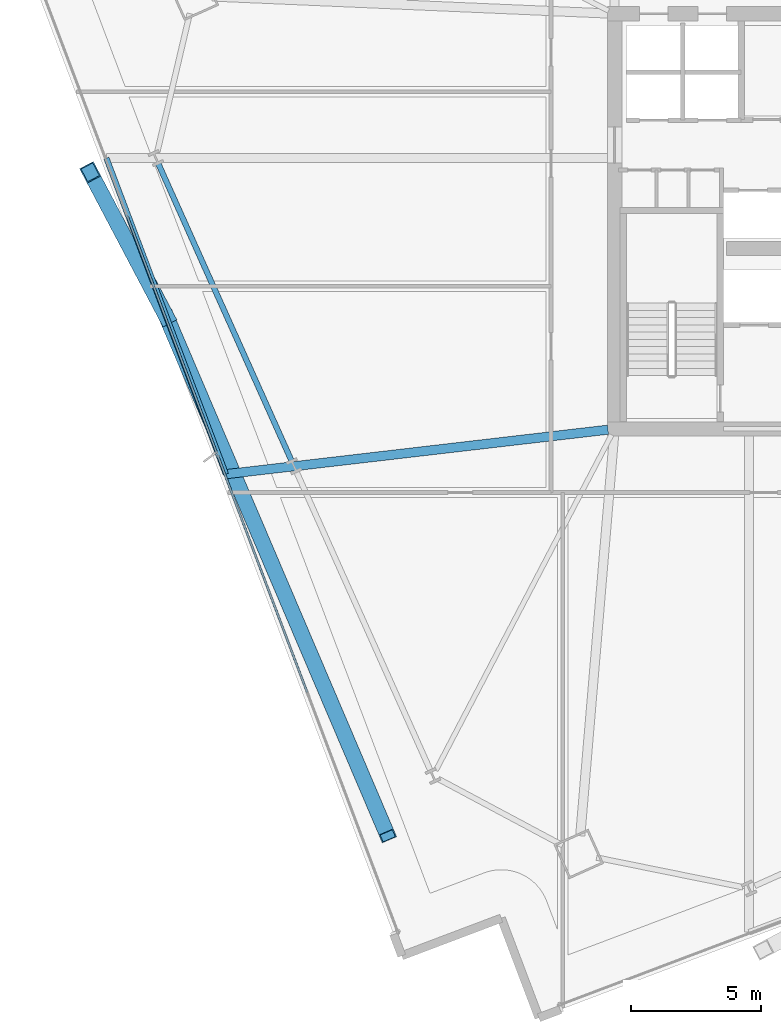
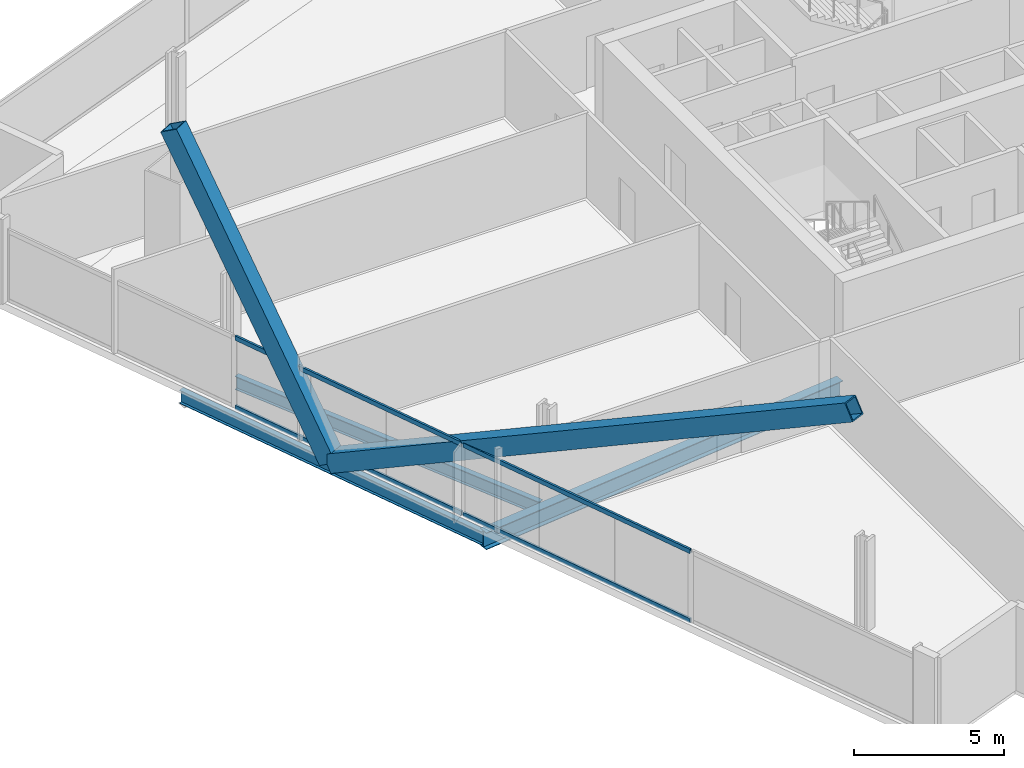
# One storey, part 6 of 37: 6 members, 3 beams, 1 element without a shape of its own.
"""IFC4 building model written with IfcOpenShell, lengths in metres."""

import ifcopenshell
import ifcopenshell.guid

model = None  # the IFC model being written
_history = None  # IfcOwnerHistory: only IFC2X3 demands one
_inside = {}  # id of a spatial element -> (the spatial element, [elements in it])
_under = {}  # id of a project, library or spatial element -> (it, [spatial elements below it])
_declared = {}  # id of a project -> (the project, [libraries it declares])
_typed = {}  # id of a type object -> (the type object, [elements of that type])
_made_of = {}  # id of a material, layer set ... -> (it, [elements and type objects made of it])


def new_model(schema):
    """Start an empty IFC model of exactly this schema.

    Asked for "IFC4X3", IfcOpenShell would pick the latest addendum, in which some entities
    have other attributes; the version numbers below select the first issue.
    IFC2X3 requires an IfcOwnerHistory on every rooted entity: one is made here for all.
    """
    global model, _history
    if schema == "IFC4X3":
        model = ifcopenshell.file(schema_version=(4, 3, 0, 0))
    else:
        model = ifcopenshell.file(schema=schema)
    _inside.clear()
    _under.clear()
    _declared.clear()
    _typed.clear()
    _made_of.clear()
    _history = None
    if model.schema == "IFC2X3":
        org = make("IfcOrganization", Name="unknown")
        user = make(
            "IfcPersonAndOrganization",
            ThePerson=make("IfcPerson", FamilyName="unknown"),
            TheOrganization=org,
        )
        app = make(
            "IfcApplication",
            ApplicationDeveloper=org,
            Version="unknown",
            ApplicationFullName="unknown",
            ApplicationIdentifier="unknown",
        )
        _history = make(
            "IfcOwnerHistory",
            OwningUser=user,
            OwningApplication=app,
            ChangeAction="ADDED",
            CreationDate=0,
        )
    return model


def make(cls, **values):
    """One entity of the class cls with the attributes given. An attribute that is None is left unset."""
    return model.create_entity(
        cls, **{name: value for name, value in values.items() if value is not None}
    )


def rooted(cls, **values):
    """An entity with a GlobalId (a new one), such as an element, a storey or a relation."""
    return make(cls, GlobalId=ifcopenshell.guid.new(), OwnerHistory=_history, **values)


def si_unit(unit_type, name, prefix=None):
    """IfcSIUnit, for example si_unit("LENGTHUNIT", "METRE", prefix="MILLI")."""
    return make("IfcSIUnit", UnitType=unit_type, Prefix=prefix, Name=name)


def assignment(units):
    """IfcUnitAssignment: the units of a project."""
    return None if units is None else make("IfcUnitAssignment", Units=units)


def point(xyz):
    """IfcCartesianPoint."""
    return None if xyz is None else make("IfcCartesianPoint", Coordinates=xyz)


def direction(xyz):
    """IfcDirection."""
    return None if xyz is None else make("IfcDirection", DirectionRatios=xyz)


def frame(location, z_axis=None, x_axis=None):
    """IfcAxis2Placement3D, a coordinate frame: its origin and axes. An axis left out is left unset."""
    return make(
        "IfcAxis2Placement3D",
        Location=point(location),
        Axis=direction(z_axis),
        RefDirection=direction(x_axis),
    )


def frame_2d(location, x_axis=None):
    """IfcAxis2Placement2D, a coordinate frame in the plane: its origin and x axis."""
    return make(
        "IfcAxis2Placement2D", Location=point(location), RefDirection=direction(x_axis)
    )


def origin():
    """The frame at (0, 0, 0) with its axes left unset."""
    return frame((0.0, 0.0, 0.0))


def origin_2d():
    """The frame at (0, 0) in the plane with its x axis left unset."""
    return frame_2d((0.0, 0.0))


def place(relative_to, where):
    """IfcLocalPlacement: puts the frame where relative to a parent placement (None: the world)."""
    return make(
        "IfcLocalPlacement", PlacementRelTo=relative_to, RelativePlacement=where
    )


def context(
    kind, dimensions, precision=None, world=None, true_north=None, identifier=None
):
    """IfcGeometricRepresentationContext, for example the 3D "Model" context."""
    return make(
        "IfcGeometricRepresentationContext",
        ContextIdentifier=identifier,
        ContextType=kind,
        CoordinateSpaceDimension=dimensions,
        Precision=precision,
        WorldCoordinateSystem=world,
        TrueNorth=true_north,
    )


def subcontext(parent, identifier, kind, view, scale=None):
    """IfcGeometricRepresentationSubContext, for example "Body" below "Model"."""
    return make(
        "IfcGeometricRepresentationSubContext",
        ContextIdentifier=identifier,
        ContextType=kind,
        ParentContext=parent,
        TargetScale=scale,
        TargetView=view,
    )


def project(units=None, contexts=None):
    """IfcProject with its units and contexts."""
    return rooted(
        "IfcProject",
        Name="project",
        RepresentationContexts=contexts,
        UnitsInContext=assignment(units),
    )


def spatial(cls, under=None, at=None, **own):
    """A site, building, storey or space (cls), placed at a placement, below another one or the project."""
    s = rooted(cls, ObjectPlacement=at, **own)
    if under is not None:
        _under.setdefault(under.id(), (under, []))[1].append(s)
    return s


def profile(cls, at=None, kind="AREA", **sizes):
    """A parametric profile (cls). Its sizes go by their IFC names, for example OverallWidth=200.0."""
    return make(cls, ProfileType=kind, Position=at, **sizes)


def hollow_rectangle(**sizes):
    """IfcRectangleHollowProfileDef."""
    return profile("IfcRectangleHollowProfileDef", **sizes)


def i_section(**sizes):
    """IfcIShapeProfileDef."""
    return profile("IfcIShapeProfileDef", **sizes)


def extrude(swept, where, along, depth):
    """IfcExtrudedAreaSolid: the profile swept, set in the frame where, extruded along a direction by depth."""
    return make(
        "IfcExtrudedAreaSolid",
        SweptArea=swept,
        Position=where,
        ExtrudedDirection=direction(along),
        Depth=depth,
    )


def shape(context_of_items, identifier, shape_type, items):
    """IfcShapeRepresentation: the items that make up one representation, for example the "Body"."""
    return make(
        "IfcShapeRepresentation",
        ContextOfItems=context_of_items,
        RepresentationIdentifier=identifier,
        RepresentationType=shape_type,
        Items=items,
    )


def material(Name=None, Category=None):
    """IfcMaterial."""
    return make("IfcMaterial", Name=Name, Category=Category)


def material_profile(
    of_material, cross_section, Name=None, Category=None, Priority=None
):
    """IfcMaterialProfile: a cross section and its material."""
    return make(
        "IfcMaterialProfile",
        Name=Name,
        Material=of_material,
        Profile=cross_section,
        Priority=Priority,
        Category=Category,
    )


def profile_set(profiles, Name=None, composite=None):
    """IfcMaterialProfileSet."""
    return make(
        "IfcMaterialProfileSet",
        Name=Name,
        MaterialProfiles=profiles,
        CompositeProfile=composite,
    )


def made_of(thing, what):
    """Note that an element or type object is made of a material, layer set ...; save() writes the relation."""
    if what is not None:
        _made_of.setdefault(what.id(), (what, []))[1].append(thing)
    return thing


def type_object(cls, material=None, **own):
    """A type object (cls), such as IfcWallType, which elements share."""
    return made_of(rooted(cls, **own), material)


def element(
    cls,
    number,
    at=None,
    inside=None,
    cuts=None,
    type_object=None,
    material=None,
    context=None,
    identifier="Body",
    shape_type=None,
    held_by="IfcProductDefinitionShape",
    body=None,
    shapes=None,
    **own,
):
    """One element of the class cls, such as IfcWall. Its Tag is "e" and its number.

    at: its placement. inside: the storey or other place that contains it. cuts: it is an
    opening in that element (IfcRelVoidsElement). A single representation is given by context,
    identifier, shape_type and body (its items); several are given by shapes. held_by: the class
    of the entity that holds the representations. save() writes the other relations.
    """
    e = rooted(cls, Tag="e%d" % number, ObjectPlacement=at, **own)
    if body is not None:
        shapes = [shape(context, identifier, shape_type, body)]
    if shapes is not None:
        e.Representation = make(held_by, Representations=shapes)
    if inside is not None:
        _inside.setdefault(inside.id(), (inside, []))[1].append(e)
    if cuts is not None:
        rooted(
            "IfcRelVoidsElement", RelatingBuildingElement=cuts, RelatedOpeningElement=e
        )
    if type_object is not None:
        _typed.setdefault(type_object.id(), (type_object, []))[1].append(e)
    return made_of(e, material)


def aggregate(whole, parts):
    """IfcRelAggregates: a whole, such as a stair, and the parts it consists of."""
    return rooted("IfcRelAggregates", RelatingObject=whole, RelatedObjects=parts)


def save(model, path):
    """Write the relations noted so far, then the file.

    IfcRelAggregates (storeys below a building ...), IfcRelContainedInSpatialStructure (elements
    in a storey), IfcRelDefinesByType, IfcRelAssociatesMaterial and IfcRelDeclares: one each for
    every whole, place, type object, material and project.
    """
    for whole, parts in _under.values():
        aggregate(whole, parts)
    for where, things in _inside.values():
        rooted(
            "IfcRelContainedInSpatialStructure",
            RelatedElements=things,
            RelatingStructure=where,
        )
    for kind, things in _typed.values():
        rooted("IfcRelDefinesByType", RelatedObjects=things, RelatingType=kind)
    for what, things in _made_of.values():
        rooted("IfcRelAssociatesMaterial", RelatedObjects=things, RelatingMaterial=what)
    for by, libraries in _declared.values():
        rooted("IfcRelDeclares", RelatingContext=by, RelatedDefinitions=libraries)
    model.write(path)


model = new_model("IFC4")

# Units and contexts
model_context = context("Model", 3, precision=1e-05, world=origin(), true_north=direction((0.0, 1.0)))
body_context = subcontext(model_context, "Body", "Model", "MODEL_VIEW")
ifc_project = project(units=[si_unit("LENGTHUNIT", "METRE"), si_unit("AREAUNIT", "SQUARE_METRE"), si_unit("VOLUMEUNIT", "CUBIC_METRE"), si_unit("PLANEANGLEUNIT", "RADIAN"), si_unit("MASSUNIT", "GRAM", prefix="KILO")], contexts=[model_context])

# Site, building, storey
site_placement = place(None, origin())
site = spatial("IfcSite", under=ifc_project, at=site_placement, CompositionType="ELEMENT")
building_placement = place(site_placement, origin())
building = spatial("IfcBuilding", under=site, at=building_placement, Name="Haldenkirk Collegiate Tower", CompositionType="ELEMENT")
storey_placement = place(building_placement, frame((0.0, 0.0, 97.949951171875)))
storey = spatial("IfcBuildingStorey", under=building, at=storey_placement, Name="L23", CompositionType="ELEMENT", Elevation=97.949951171875)

# Beams
ifc_material_1 = material(Name="Steel ASTM A992 Grade 50", Category="steel")
ifc_material_profile_1 = material_profile(ifc_material_1, i_section(OverallWidth=0.35498046875, OverallDepth=0.696044921875, WebThickness=0.015380859375, FlangeThickness=0.02490234375, at=origin_2d()), Name="W27X146")
ifc_profile_set_1 = profile_set([ifc_material_profile_1], Name="Steel ASTM A992 Grade 50")
beam_type_1 = type_object("IfcBeamType", Name="BM-GIRDER-W27X146", PredefinedType="BEAM", material=ifc_profile_set_1)
beam_1_placement = place(storey_placement, frame((12.016357421875, 16.255126953125, -0.64794921875), z_axis=(0.993287907677, 0.115668199873, 0.0), x_axis=(-0.115668199873, 0.993287907677, 0.0)))
element("IfcBeam", 1, at=beam_1_placement, inside=storey, type_object=beam_type_1, Name="L23 primary floor girder 15", PredefinedType="BEAM", context=body_context, shape_type="SweptSolid", body=[
    extrude(i_section(OverallWidth=0.35498046875, OverallDepth=0.696044921875, WebThickness=0.015380859375, FlangeThickness=0.02490234375, at=origin_2d()), origin(), (0.0, 0.0, 1.0), 14.829833984375),
])
ifc_material_profile_2 = material_profile(ifc_material_1, i_section(OverallWidth=0.2119140625, OverallDepth=0.5439453125, WebThickness=0.01318359375, FlangeThickness=0.021240234375, at=origin_2d()), Name="W21X83")
ifc_profile_set_2 = profile_set([ifc_material_profile_2], Name="Steel ASTM A992 Grade 50")
beam_type_2 = type_object("IfcBeamType", Name="BM-SPANDREL-W21X83", PredefinedType="SPANDREL", material=ifc_profile_set_2)
beam_2_placement = place(storey_placement, frame((9.418212890625, 28.212890625, -0.572021484375), z_axis=(0.409115233697, -0.912482726169, 0.0), x_axis=(0.912482726169, 0.409115233697, 0.0)))
element("IfcBeam", 2, at=beam_2_placement, inside=storey, type_object=beam_type_2, Name="L23 perimeter spandrel beam 14", PredefinedType="SPANDREL", context=body_context, shape_type="SweptSolid", body=[
    extrude(i_section(OverallWidth=0.2119140625, OverallDepth=0.5439453125, WebThickness=0.01318359375, FlangeThickness=0.021240234375, at=origin_2d()), origin(), (0.0, 0.0, 1.0), 12.524169921875),
])
beam_3_placement = place(storey_placement, frame((7.4130859375, 28.436767578125, -0.572021484375), z_axis=(0.353489161274, -0.935438620574, 0.0), x_axis=(0.935438620574, 0.353489161274, 0.0)))
element("IfcBeam", 3, at=beam_3_placement, inside=storey, type_object=beam_type_2, Name="L23 outer facade edge beam 4", PredefinedType="SPANDREL", context=body_context, shape_type="SweptSolid", body=[
    extrude(i_section(OverallWidth=0.2119140625, OverallDepth=0.5439453125, WebThickness=0.01318359375, FlangeThickness=0.021240234375, at=origin_2d()), origin(), (0.0, 0.0, 1.0), 13.0224609375),
])

# Curtain wall, members
ifc_material_2 = material(Name="Anodised architectural bronze aluminium", Category="aluminium")
curtain_wall_type = type_object("IfcCurtainWallType", Name="CW-SYS1-CONVEX-LOW", PredefinedType="USERDEFINED", material=ifc_material_2)
curtain_wall_placement = place(storey_placement, origin())
curtain_wall = element("IfcCurtainWall", 4, at=curtain_wall_placement, inside=storey, type_object=curtain_wall_type, Name="L23 Lower tower convex bronze-framed unitised curtain wall", ObjectType="UNITISED CURTAIN WALL", PredefinedType="USERDEFINED")
ifc_material_profile_3 = material_profile(ifc_material_2, hollow_rectangle(XDim=0.080078125, YDim=0.179931640625, WallThickness=0.0048828125, at=origin_2d()), Name="CW-TRN-1A")
ifc_profile_set_3 = profile_set([ifc_material_profile_3], Name="Anodised architectural bronze aluminium")
member_type_1 = type_object("IfcMemberType", Name="CW-TRN-1A", PredefinedType="USERDEFINED", material=ifc_profile_set_3)
member_1_placement = place(storey_placement, frame((15.150146484375, 7.84814453125, 0.0400390625), z_axis=(-0.353463741339, 0.935448226017, 0.0), x_axis=(-0.935448226017, -0.353463741339, 0.0)))
member_1 = element("IfcMember", 5, at=member_1_placement, type_object=member_type_1, Name="CW-1A transom 2.1", ObjectType="TRANSOM", PredefinedType="USERDEFINED", context=body_context, shape_type="SweptSolid", body=[
    extrude(hollow_rectangle(XDim=0.080078125, YDim=0.179931640625, WallThickness=0.0048828125, at=origin_2d()), origin(), (0.0, 0.0, 1.0), 9.77001953125),
])
member_2_placement = place(storey_placement, frame((15.150146484375, 7.84814453125, 2.861083984375), z_axis=(-0.353463741339, 0.935448226017, 0.0), x_axis=(-0.935448226017, -0.353463741339, 0.0)))
member_2 = element("IfcMember", 6, at=member_2_placement, type_object=member_type_1, Name="CW-1A transom 2.2", ObjectType="TRANSOM", PredefinedType="USERDEFINED", context=body_context, shape_type="SweptSolid", body=[
    extrude(hollow_rectangle(XDim=0.080078125, YDim=0.179931640625, WallThickness=0.0048828125, at=origin_2d()), origin(), (0.0, 0.0, 1.0), 9.77001953125),
])
member_3_placement = place(storey_placement, frame((11.66845703125, 17.062255859375, 0.0400390625), z_axis=(-0.353463741339, 0.935448226017, 0.0), x_axis=(-0.935448226017, -0.353463741339, 0.0)))
member_3 = element("IfcMember", 7, at=member_3_placement, type_object=member_type_1, Name="CW-1A transom 3.1", ObjectType="TRANSOM", PredefinedType="USERDEFINED", context=body_context, shape_type="SweptSolid", body=[
    extrude(hollow_rectangle(XDim=0.080078125, YDim=0.179931640625, WallThickness=0.0048828125, at=origin_2d()), origin(), (0.0, 0.0, 1.0), 9.77001953125),
])
member_4_placement = place(storey_placement, frame((11.66845703125, 17.062255859375, 2.861083984375), z_axis=(-0.353463741339, 0.935448226017, 0.0), x_axis=(-0.935448226017, -0.353463741339, 0.0)))
member_4 = element("IfcMember", 8, at=member_4_placement, type_object=member_type_1, Name="CW-1A transom 3.2", ObjectType="TRANSOM", PredefinedType="USERDEFINED", context=body_context, shape_type="SweptSolid", body=[
    extrude(hollow_rectangle(XDim=0.080078125, YDim=0.179931640625, WallThickness=0.0048828125, at=origin_2d()), origin(), (0.0, 0.0, 1.0), 9.77001953125),
])
aggregate(curtain_wall, [member_1, member_2, member_3, member_4])

# Members
ifc_material_3 = material(Name="Steel ASTM A572 Grade 50", Category="steel")
ifc_material_profile_4 = material_profile(ifc_material_3, hollow_rectangle(XDim=0.60009765625, YDim=0.719970703125, WallThickness=0.044921875, at=origin_2d()), Name="BOX720X600X45")
ifc_profile_set_4 = profile_set([ifc_material_profile_4], Name="Steel ASTM A572 Grade 50")
member_type_2 = type_object("IfcMemberType", Name="MBR-MEGABRACE-BOX720X600X45", PredefinedType="BRACE", material=ifc_profile_set_4)
member_5_placement = place(storey_placement, frame((9.714599609375, 22.345947265625, -0.31005859375), z_axis=(-0.227059686421, 0.430459817974, 0.873583564355), x_axis=(-0.884492822771, -0.466553798041, 0.0)))
element("IfcMember", 9, at=member_5_placement, inside=storey, type_object=member_type_2, Name="Perimeter Mega Brace Z2 L23-L25 WL", PredefinedType="BRACE", context=body_context, shape_type="SweptSolid", body=[
    extrude(hollow_rectangle(XDim=0.60009765625, YDim=0.719970703125, WallThickness=0.044921875, at=origin_2d()), origin(), (0.0, 0.0, 1.0), 12.8779296875),
])
member_6_placement = place(storey_placement, frame((9.714599609375, 22.345947265625, -0.31005859375), z_axis=(0.348522114686, -0.817222551521, 0.458998515097), x_axis=(0.919842960584, 0.392286792875, 0.0)))
element("IfcMember", 10, at=member_6_placement, inside=storey, type_object=member_type_2, Name="Perimeter Mega Brace Z2 L23-L25 WR", PredefinedType="BRACE", context=body_context, shape_type="SweptSolid", body=[
    extrude(hollow_rectangle(XDim=0.60009765625, YDim=0.719970703125, WallThickness=0.044921875, at=origin_2d()), origin(), (0.0, 0.0, 1.0), 24.509765625),
])

save(model, "model.ifc")
